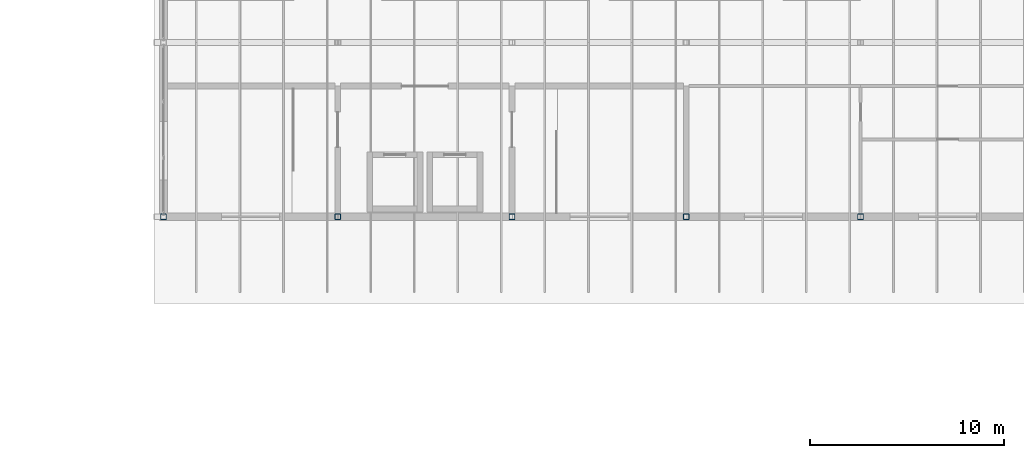
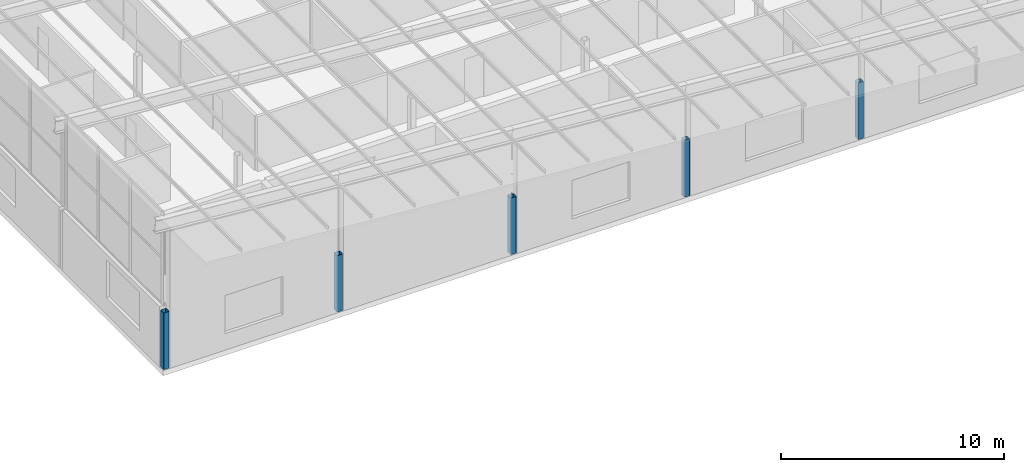
# One storey, part 8 of 85: 5 columns.
"""IFC4 building model written with IfcOpenShell, lengths in metres."""

from ifc_helpers import new_model, si_unit, direction, frame, origin, origin_2d, place, context, subcontext, project, spatial, hollow_rectangle, extrude, material, material_profile, profile_set, type_object, element, save


model = new_model("IFC4")

# Units and contexts
model_context = context("Model", 3, precision=1e-05, world=origin(), true_north=direction((0.0, 1.0)))
body_context = subcontext(model_context, "Body", "Model", "MODEL_VIEW")
ifc_project = project(units=[si_unit("LENGTHUNIT", "METRE"), si_unit("AREAUNIT", "SQUARE_METRE"), si_unit("VOLUMEUNIT", "CUBIC_METRE"), si_unit("PLANEANGLEUNIT", "RADIAN"), si_unit("MASSUNIT", "GRAM", prefix="KILO")], contexts=[model_context])

# Site, building, storey
site_placement = place(None, origin())
site = spatial("IfcSite", under=ifc_project, at=site_placement, CompositionType="ELEMENT")
building_placement = place(site_placement, origin())
building = spatial("IfcBuilding", under=site, at=building_placement, Name="Opaline Strait Convention Centre", CompositionType="ELEMENT")
storey_placement = place(building_placement, frame((0.0, 0.0, 17.0)))
storey = spatial("IfcBuildingStorey", under=building, at=storey_placement, Name="L03", CompositionType="ELEMENT", Elevation=17.0)

# Columns
ifc_material = material(Name="Steel Q355B", Category="steel")
ifc_material_profile = material_profile(ifc_material, hollow_rectangle(XDim=0.300048828125, YDim=0.300048828125, WallThickness=0.011962890625, InnerFilletRadius=0.02392578125, OuterFilletRadius=0.035888671875, at=origin_2d()), Name="RHS 300x300x12")
ifc_profile_set = profile_set([ifc_material_profile], Name="Steel Q355B")
column_type = type_object("IfcColumnType", Name="Roof post RHS 300x300x12", PredefinedType="COLUMN", material=ifc_profile_set)
for number, where, z_axis, x_axis, name in (
    (1, (279.0, 90.0, 0.0), (0.0, 0.0, 1.0), (1.0, 0.0, 0.0), "MRS1 roof post at 32/L"),
    (2, (288.0, 90.0, 0.0), (0.0, 0.0, 1.0), (1.0, 0.0, 0.0), "MRS1 roof post at 33/L"),
    (3, (297.0, 90.0, 0.0), (0.0, 0.0, 1.0), (1.0, 0.0, 0.0), "MRS1 roof post at 34/L"),
    (4, (306.0, 90.0, 0.0), (0.0, 0.0, 1.0), (1.0, 0.0, 0.0), "MRS1 roof post at 35/L"),
    (5, (315.0, 90.0, 0.0), (0.0, 0.0, 1.0), (1.0, 0.0, 0.0), "MRS1 roof post at 36/L"),
):
    element("IfcColumn", number, at=place(storey_placement, frame(where, z_axis=z_axis, x_axis=x_axis)), inside=storey, type_object=column_type, Name=name, PredefinedType="COLUMN", context=body_context, shape_type="SweptSolid", body=[
        extrude(hollow_rectangle(XDim=0.300048828125, YDim=0.300048828125, WallThickness=0.011962890625, InnerFilletRadius=0.02392578125, OuterFilletRadius=0.035888671875, at=origin_2d()), origin(), (0.0, 0.0, 1.0), 3.10009765625),
    ])

save(model, "model.ifc")
